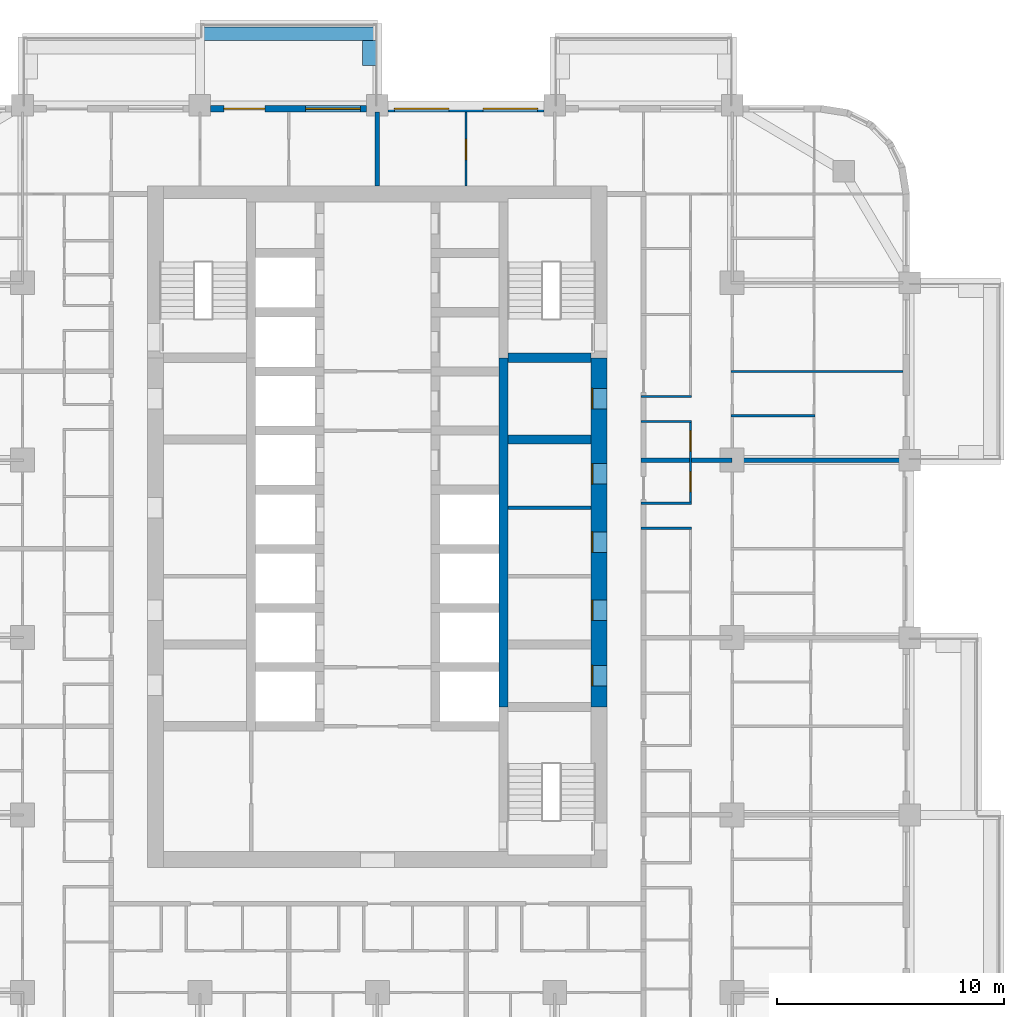
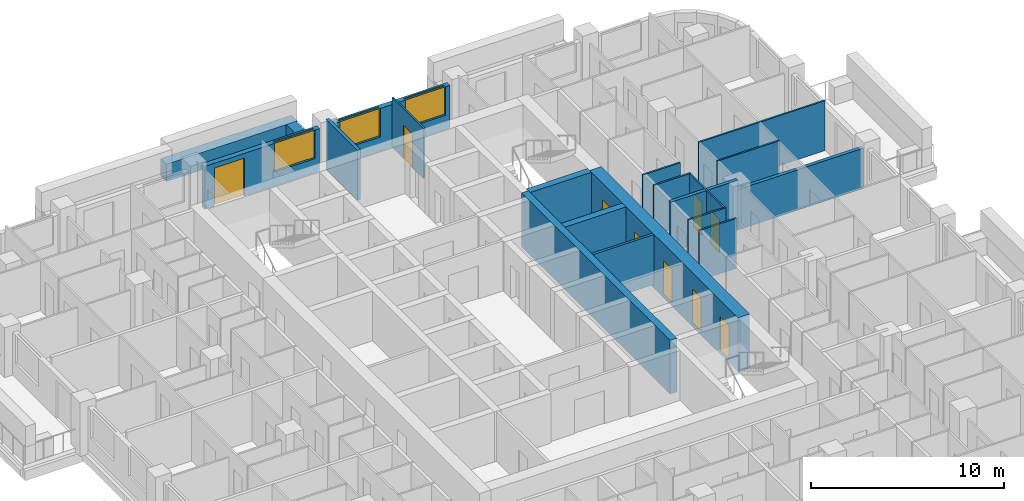
# One storey, part 12 of 18: 20 walls, 9 doors, 3 windows, 12 openings.
"""IFC4 building model written with IfcOpenShell, lengths in metres."""

from ifc_helpers import new_model, si_unit, direction, frame, frame_2d, origin, place, context, subcontext, project, spatial, rectangle, extrude, material, layer, layer_set, type_object, element, fill, save


model = new_model("IFC4")

# Units and contexts
model_context = context("Model", 3, precision=1e-05, world=origin(), true_north=direction((0.0, 1.0)))
body_context = subcontext(model_context, "Body", "Model", "MODEL_VIEW")
ifc_project = project(units=[si_unit("LENGTHUNIT", "METRE"), si_unit("AREAUNIT", "SQUARE_METRE"), si_unit("VOLUMEUNIT", "CUBIC_METRE"), si_unit("PLANEANGLEUNIT", "RADIAN"), si_unit("MASSUNIT", "GRAM", prefix="KILO")], contexts=[model_context])

# Site, building, storey
site_placement = place(None, origin())
site = spatial("IfcSite", under=ifc_project, at=site_placement, CompositionType="ELEMENT")
building_placement = place(site_placement, origin())
building = spatial("IfcBuilding", under=site, at=building_placement, Name="Ludao Terraces", CompositionType="ELEMENT")
storey_placement = place(building_placement, frame((0.0, 0.0, 64.800048828125)))
storey = spatial("IfcBuildingStorey", under=building, at=storey_placement, Name="L17", CompositionType="ELEMENT", Elevation=64.800048828125)

# Wall, openings, doors
ifc_material_1 = material(Name="Concrete C70", Category="concrete")
ifc_layer_1 = layer(ifc_material_1, 0.699951171875)
ifc_layer_set_1 = layer_set([ifc_layer_1], Name="Core wall 700 C70")
wall_type_1 = type_object("IfcWallType", Name="Core wall 700 C70", PredefinedType="SOLIDWALL", material=ifc_layer_set_1)
wall_1_placement = place(storey_placement, frame((94.75, 61.949951171875, -0.25), z_axis=(0.0, 0.0, 1.0), x_axis=(0.0, 1.0, 0.0)))
wall_1 = element("IfcWall", 1, at=wall_1_placement, inside=storey, type_object=wall_type_1, Name="Core wall L17 outer-E", PredefinedType="SOLIDWALL", context=body_context, shape_type="SweptSolid", body=[
    extrude(rectangle(XDim=15.35009765625, YDim=0.699951171875, at=frame_2d((7.675048828125, 0.0))), origin(), (0.0, 0.0, 1.0), 3.39990234375),
])
opening_1_placement = place(wall_1_placement, frame((0.925048828125, 0.0, 0.25)))
opening_1 = element("IfcOpeningElement", 2, at=opening_1_placement, cuts=wall_1, Name="Opening R05-080", PredefinedType="OPENING", context=body_context, shape_type="SweptSolid", body=[
    extrude(rectangle(XDim=0.89990234375, YDim=2.10009765625, at=frame_2d((0.449951171875, 1.050048828125))), frame((0.0, 0.35986328125, 0.0), z_axis=(0.0, -1.0, 0.0), x_axis=(1.0, 0.0, 0.0)), (0.0, 0.0, 1.0), 0.719970703125),
])
opening_2_placement = place(wall_1_placement, frame((3.800048828125, 0.0, 0.25)))
opening_2 = element("IfcOpeningElement", 3, at=opening_2_placement, cuts=wall_1, Name="Opening R05-093", PredefinedType="OPENING", context=body_context, shape_type="SweptSolid", body=[
    extrude(rectangle(XDim=0.89990234375, YDim=2.10009765625, at=frame_2d((0.449951171875, 1.050048828125))), frame((0.0, 0.35986328125, 0.0), z_axis=(0.0, -1.0, 0.0), x_axis=(1.0, 0.0, 0.0)), (0.0, 0.0, 1.0), 0.719970703125),
])
opening_3_placement = place(wall_1_placement, frame((6.800048828125, 0.0, 0.25)))
opening_3 = element("IfcOpeningElement", 4, at=opening_3_placement, cuts=wall_1, Name="Opening R05-101", PredefinedType="OPENING", context=body_context, shape_type="SweptSolid", body=[
    extrude(rectangle(XDim=0.89990234375, YDim=2.10009765625, at=frame_2d((0.449951171875, 1.050048828125))), frame((0.0, 0.35986328125, 0.0), z_axis=(0.0, -1.0, 0.0), x_axis=(1.0, 0.0, 0.0)), (0.0, 0.0, 1.0), 0.719970703125),
])
opening_4_placement = place(wall_1_placement, frame((9.800048828125, 0.0, 0.25)))
opening_4 = element("IfcOpeningElement", 5, at=opening_4_placement, cuts=wall_1, Name="Opening R05-112", PredefinedType="OPENING", context=body_context, shape_type="SweptSolid", body=[
    extrude(rectangle(XDim=0.89990234375, YDim=2.10009765625, at=frame_2d((0.449951171875, 1.050048828125))), frame((0.0, 0.35986328125, 0.0), z_axis=(0.0, -1.0, 0.0), x_axis=(1.0, 0.0, 0.0)), (0.0, 0.0, 1.0), 0.719970703125),
])
opening_5_placement = place(wall_1_placement, frame((13.10009765625, 0.0, 0.25)))
opening_5 = element("IfcOpeningElement", 6, at=opening_5_placement, cuts=wall_1, Name="Opening R05-124", PredefinedType="OPENING", context=body_context, shape_type="SweptSolid", body=[
    extrude(rectangle(XDim=0.89990234375, YDim=2.10009765625, at=frame_2d((0.449951171875, 1.050048828125))), frame((0.0, 0.35986328125, 0.0), z_axis=(0.0, -1.0, 0.0), x_axis=(1.0, 0.0, 0.0)), (0.0, 0.0, 1.0), 0.719970703125),
])
ifc_material_2 = material(Name="Steel Q235", Category="steel")
door_type_1 = type_object("IfcDoorType", Name="INT Riser door 900", OperationType="SINGLE_SWING_LEFT", PredefinedType="DOOR", material=ifc_material_2)
door_1_placement = place(opening_1_placement, origin())
door_1 = element("IfcDoor", 7, at=door_1_placement, inside=storey, type_object=door_type_1, Name="DOOR 080", OperationType="SINGLE_SWING_RIGHT", OverallHeight=2.10009765625, OverallWidth=0.89990234375, PredefinedType="DOOR", context=body_context, shape_type="SweptSolid", body=[
    extrude(rectangle(XDim=0.89990234375, YDim=2.10009765625, at=frame_2d((0.449951171875, 1.050048828125))), frame((0.0, 0.3349609375, 0.0), z_axis=(0.0, -1.0, 0.0), x_axis=(1.0, 0.0, 0.0)), (0.0, 0.0, 1.0), 0.050048828125),
])
fill(opening_1, door_1)
door_2_placement = place(opening_5_placement, origin())
door_2 = element("IfcDoor", 8, at=door_2_placement, inside=storey, type_object=door_type_1, Name="DOOR 124", OperationType="SINGLE_SWING_LEFT", OverallHeight=2.10009765625, OverallWidth=0.89990234375, PredefinedType="DOOR", context=body_context, shape_type="SweptSolid", body=[
    extrude(rectangle(XDim=0.89990234375, YDim=2.10009765625, at=frame_2d((0.449951171875, 1.050048828125))), frame((0.0, 0.3349609375, 0.0), z_axis=(0.0, -1.0, 0.0), x_axis=(1.0, 0.0, 0.0)), (0.0, 0.0, 1.0), 0.050048828125),
])
fill(opening_5, door_2)
ifc_material_3 = material(Name="Timber door leaf", Category="wood")
door_type_2 = type_object("IfcDoorType", Name="INT Room door 900", OperationType="SINGLE_SWING_LEFT", PredefinedType="DOOR", material=ifc_material_3)
door_3_placement = place(opening_2_placement, origin())
door_3 = element("IfcDoor", 9, at=door_3_placement, inside=storey, type_object=door_type_2, Name="DOOR 093", OperationType="SINGLE_SWING_LEFT", OverallHeight=2.10009765625, OverallWidth=0.89990234375, PredefinedType="DOOR", context=body_context, shape_type="SweptSolid", body=[
    extrude(rectangle(XDim=0.89990234375, YDim=2.10009765625, at=frame_2d((0.449951171875, 1.050048828125))), frame((0.0, 0.3349609375, 0.0), z_axis=(0.0, -1.0, 0.0), x_axis=(1.0, 0.0, 0.0)), (0.0, 0.0, 1.0), 0.050048828125),
])
fill(opening_2, door_3)
door_4_placement = place(opening_3_placement, origin())
door_4 = element("IfcDoor", 10, at=door_4_placement, inside=storey, type_object=door_type_2, Name="DOOR 101", OperationType="SINGLE_SWING_RIGHT", OverallHeight=2.10009765625, OverallWidth=0.89990234375, PredefinedType="DOOR", context=body_context, shape_type="SweptSolid", body=[
    extrude(rectangle(XDim=0.89990234375, YDim=2.10009765625, at=frame_2d((0.449951171875, 1.050048828125))), frame((0.0, 0.3349609375, 0.0), z_axis=(0.0, -1.0, 0.0), x_axis=(1.0, 0.0, 0.0)), (0.0, 0.0, 1.0), 0.050048828125),
])
fill(opening_3, door_4)
door_5_placement = place(opening_4_placement, origin())
door_5 = element("IfcDoor", 11, at=door_5_placement, inside=storey, type_object=door_type_2, Name="DOOR 112", OperationType="SINGLE_SWING_RIGHT", OverallHeight=2.10009765625, OverallWidth=0.89990234375, PredefinedType="DOOR", context=body_context, shape_type="SweptSolid", body=[
    extrude(rectangle(XDim=0.89990234375, YDim=2.10009765625, at=frame_2d((0.449951171875, 1.050048828125))), frame((0.0, 0.3349609375, 0.0), z_axis=(0.0, -1.0, 0.0), x_axis=(1.0, 0.0, 0.0)), (0.0, 0.0, 1.0), 0.050048828125),
])
fill(opening_4, door_5)

# Walls
ifc_material_4 = material(Name="Concrete C40", Category="concrete")
ifc_layer_2 = layer(ifc_material_4, 0.60009765625)
ifc_layer_set_2 = layer_set([ifc_layer_2], Name="ENV Planter trough 600")
wall_type_2 = type_object("IfcWallType", Name="ENV Planter trough 600", PredefinedType="USERDEFINED", material=ifc_layer_set_2)
wall_2_placement = place(storey_placement, frame((77.199951171875, 91.550048828125, 0.0), z_axis=(0.0, 0.0, 1.0), x_axis=(1.0, 0.0, 0.0)))
element("IfcWall", 12, at=wall_2_placement, inside=storey, type_object=wall_type_2, Name="PL-L17-N2", ObjectType="PLANTER", PredefinedType="USERDEFINED", context=body_context, shape_type="SweptSolid", body=[
    extrude(rectangle(XDim=7.800048828125, YDim=0.60009765625, at=frame_2d((3.89990234375, 0.0))), origin(), (0.0, 0.0, 1.0), 1.099853515625),
])
wall_3_placement = place(storey_placement, frame((84.64990234375, 91.25, 0.0), z_axis=(0.0, 0.0, 1.0), x_axis=(0.0, -1.0, 0.0)))
element("IfcWall", 13, at=wall_3_placement, inside=storey, type_object=wall_type_2, Name="PL-L17-N2-SB", ObjectType="PLANTER", PredefinedType="USERDEFINED", context=body_context, shape_type="SweptSolid", body=[
    extrude(rectangle(XDim=1.10009765625, YDim=0.60009765625, at=frame_2d((0.550048828125, 0.0))), origin(), (0.0, 0.0, 1.0), 1.099853515625),
])

# Wall, openings, door, window
ifc_material_5 = material(Name="Granite cladding", Category="masonry")
ifc_layer_3 = layer(ifc_material_5, 0.0400390625, Category="stone")
ifc_material_6 = material(Name="Mineral wool")
ifc_layer_4 = layer(ifc_material_6, 0.06005859375)
ifc_layer_5 = layer(ifc_material_4, 0.199951171875, Category="concrete")
ifc_layer_set_3 = layer_set([ifc_layer_3, ifc_layer_4, ifc_layer_5], Name="ENV Stone-clad wall 300")
wall_type_3 = type_object("IfcWallType", Name="ENV Stone-clad wall 300", PredefinedType="SOLIDWALL", material=ifc_layer_set_3)
wall_4_placement = place(storey_placement, frame((77.675048828125, 88.25, 0.0), z_axis=(0.0, 0.0, 1.0), x_axis=(1.0, 0.0, 0.0)))
wall_4 = element("IfcWall", 14, at=wall_4_placement, inside=storey, type_object=wall_type_3, Name="EW-L17-N3", PredefinedType="SOLIDWALL", context=body_context, shape_type="SweptSolid", body=[
    extrude(rectangle(XDim=6.849853515625, YDim=0.300048828125, at=frame_2d((3.4248046875, 0.0))), origin(), (0.0, 0.0, 1.0), 2.699951171875),
])
opening_6_placement = place(wall_4_placement, frame((0.574951171875, 0.0, 0.0)))
opening_6 = element("IfcOpeningElement", 15, at=opening_6_placement, cuts=wall_4, Name="Opening BD", PredefinedType="OPENING", context=body_context, shape_type="SweptSolid", body=[
    extrude(rectangle(XDim=1.800048828125, YDim=2.39990234375, at=frame_2d((0.89990234375, 1.199951171875))), frame((0.0, 0.16015625, 0.0), z_axis=(0.0, -1.0, 0.0), x_axis=(1.0, 0.0, 0.0)), (0.0, 0.0, 1.0), 0.320068359375),
])
opening_7_placement = place(wall_4_placement, frame((4.175048828125, 0.0, 0.89990234375)))
opening_7 = element("IfcOpeningElement", 16, at=opening_7_placement, cuts=wall_4, Name="Opening W1", PredefinedType="OPENING", context=body_context, shape_type="SweptSolid", body=[
    extrude(rectangle(XDim=2.39990234375, YDim=1.800048828125, at=frame_2d((1.199951171875, 0.89990234375))), frame((0.0, 0.16015625, 0.0), z_axis=(0.0, -1.0, 0.0), x_axis=(1.0, 0.0, 0.0)), (0.0, 0.0, 1.0), 0.320068359375),
])
ifc_material_7 = material(Name="Aluminium glazed door", Category="aluminium")
ifc_layer_6 = layer(ifc_material_7, 0.06005859375)
ifc_layer_set_4 = layer_set([ifc_layer_6], Name="ENV Balcony door BD 1800x2400")
door_type_3 = type_object("IfcDoorType", Name="ENV Balcony door BD 1800x2400", OperationType="DOUBLE_DOOR_SINGLE_SWING", PredefinedType="DOOR", material=ifc_layer_set_4)
door_6_placement = place(opening_6_placement, origin())
door_6 = element("IfcDoor", 17, at=door_6_placement, inside=storey, type_object=door_type_3, Name="BD-L17-N3-1", OperationType="DOUBLE_DOOR_SINGLE_SWING", OverallHeight=2.39990234375, OverallWidth=1.800048828125, PredefinedType="DOOR", context=body_context, shape_type="SweptSolid", body=[
    extrude(rectangle(XDim=1.800048828125, YDim=2.39990234375, at=frame_2d((0.89990234375, 1.199951171875))), frame((0.0, 0.02490234375, 0.0), z_axis=(0.0, -1.0, 0.0), x_axis=(1.0, 0.0, 0.0)), (0.0, 0.0, 1.0), 0.050048828125),
])
fill(opening_6, door_6)
ifc_material_8 = material(Name="Clear glass in aluminium frame", Category="aluminium")
ifc_layer_7 = layer(ifc_material_8, 0.06005859375)
ifc_layer_set_5 = layer_set([ifc_layer_7], Name="ENV Window W1 2400x1800")
window_type = type_object("IfcWindowType", Name="ENV Window W1 2400x1800", PartitioningType="DOUBLE_PANEL_VERTICAL", PredefinedType="WINDOW", material=ifc_layer_set_5)
window_1_placement = place(opening_7_placement, origin())
window_1 = element("IfcWindow", 18, at=window_1_placement, inside=storey, type_object=window_type, Name="W-L17-N3-2", OverallHeight=1.800048828125, OverallWidth=2.39990234375, PartitioningType="DOUBLE_PANEL_VERTICAL", PredefinedType="WINDOW", context=body_context, shape_type="SweptSolid", body=[
    extrude(rectangle(XDim=2.39990234375, YDim=1.800048828125, at=frame_2d((1.199951171875, 0.89990234375))), frame((0.0, 0.030029296875, 0.0), z_axis=(0.0, -1.0, 0.0), x_axis=(1.0, 0.0, 0.0)), (0.0, 0.0, 1.0), 0.06005859375),
])
fill(opening_7, window_1)

# Wall, openings, windows
wall_5_placement = place(storey_placement, frame((85.47509765625, 88.25, 0.0), z_axis=(0.0, 0.0, 1.0), x_axis=(1.0, 0.0, 0.0)))
wall_5 = element("IfcWall", 19, at=wall_5_placement, inside=storey, type_object=wall_type_3, Name="EW-L17-N4", PredefinedType="SOLIDWALL", context=body_context, shape_type="SweptSolid", body=[
    extrude(rectangle(XDim=6.849853515625, YDim=0.300048828125, at=frame_2d((3.4248046875, 0.0))), origin(), (0.0, 0.0, 1.0), 2.699951171875),
])
opening_8_placement = place(wall_5_placement, frame((0.27490234375, 0.0, 0.89990234375)))
opening_8 = element("IfcOpeningElement", 20, at=opening_8_placement, cuts=wall_5, Name="Opening W1", PredefinedType="OPENING", context=body_context, shape_type="SweptSolid", body=[
    extrude(rectangle(XDim=2.39990234375, YDim=1.800048828125, at=frame_2d((1.199951171875, 0.89990234375))), frame((0.0, 0.16015625, 0.0), z_axis=(0.0, -1.0, 0.0), x_axis=(1.0, 0.0, 0.0)), (0.0, 0.0, 1.0), 0.320068359375),
])
opening_9_placement = place(wall_5_placement, frame((4.175048828125, 0.0, 0.89990234375)))
opening_9 = element("IfcOpeningElement", 21, at=opening_9_placement, cuts=wall_5, Name="Opening W1", PredefinedType="OPENING", context=body_context, shape_type="SweptSolid", body=[
    extrude(rectangle(XDim=2.39990234375, YDim=1.800048828125, at=frame_2d((1.199951171875, 0.89990234375))), frame((0.0, 0.16015625, 0.0), z_axis=(0.0, -1.0, 0.0), x_axis=(1.0, 0.0, 0.0)), (0.0, 0.0, 1.0), 0.320068359375),
])
window_2_placement = place(opening_8_placement, origin())
window_2 = element("IfcWindow", 22, at=window_2_placement, inside=storey, type_object=window_type, Name="W-L17-N4-1", OverallHeight=1.800048828125, OverallWidth=2.39990234375, PartitioningType="DOUBLE_PANEL_VERTICAL", PredefinedType="WINDOW", context=body_context, shape_type="SweptSolid", body=[
    extrude(rectangle(XDim=2.39990234375, YDim=1.800048828125, at=frame_2d((1.199951171875, 0.89990234375))), frame((0.0, 0.030029296875, 0.0), z_axis=(0.0, -1.0, 0.0), x_axis=(1.0, 0.0, 0.0)), (0.0, 0.0, 1.0), 0.06005859375),
])
fill(opening_8, window_2)
window_3_placement = place(opening_9_placement, origin())
window_3 = element("IfcWindow", 23, at=window_3_placement, inside=storey, type_object=window_type, Name="W-L17-N4-2", OverallHeight=1.800048828125, OverallWidth=2.39990234375, PartitioningType="DOUBLE_PANEL_VERTICAL", PredefinedType="WINDOW", context=body_context, shape_type="SweptSolid", body=[
    extrude(rectangle(XDim=2.39990234375, YDim=1.800048828125, at=frame_2d((1.199951171875, 0.89990234375))), frame((0.0, 0.030029296875, 0.0), z_axis=(0.0, -1.0, 0.0), x_axis=(1.0, 0.0, 0.0)), (0.0, 0.0, 1.0), 0.06005859375),
])
fill(opening_9, window_3)

# Walls
ifc_material_9 = material(Name="Fire-rated gypsum plasterboard", Category="gypsum")
ifc_layer_8 = layer(ifc_material_9, 0.012451171875, Category="gypsum")
ifc_layer_9 = layer(ifc_material_6, 0.10009765625, Name="insulation")
ifc_layer_10 = layer(ifc_material_2, 0.02490234375, Name="stud")
ifc_layer_11 = layer(ifc_material_9, 0.012451171875, Category="gypsum")
ifc_layer_set_6 = layer_set([ifc_layer_8, ifc_layer_9, ifc_layer_10, ifc_layer_11], Name="INT Core partition 150")
wall_type_4 = type_object("IfcWallType", Name="INT Core partition 150", PredefinedType="PARTITIONING", material=ifc_layer_set_6)
wall_6_placement = place(storey_placement, frame((90.75, 70.699951171875, 0.0), z_axis=(0.0, 0.0, 1.0), x_axis=(1.0, 0.0, 0.0)))
element("IfcWall", 24, at=wall_6_placement, inside=storey, type_object=wall_type_4, Name="PW-L17-PW052", PredefinedType="PARTITIONING", context=body_context, shape_type="SweptSolid", body=[
    extrude(rectangle(XDim=3.650146484375, YDim=0.14990234375, at=frame_2d((1.8251953125, 0.0))), origin(), (0.0, 0.0, 1.0), 3.14990234375),
])
ifc_material_10 = material(Name="Gypsum plasterboard", Category="gypsum")
ifc_layer_12 = layer(ifc_material_10, 0.012451171875, Category="gypsum")
ifc_layer_13 = layer(ifc_material_6, 0.06005859375, Name="insulation")
ifc_layer_14 = layer(ifc_material_2, 0.014892578125, Name="stud")
ifc_layer_15 = layer(ifc_material_10, 0.012451171875, Category="gypsum")
ifc_layer_set_7 = layer_set([ifc_layer_12, ifc_layer_13, ifc_layer_14, ifc_layer_15], Name="INT Partition 100")
wall_type_5 = type_object("IfcWallType", Name="INT Partition 100", PredefinedType="PARTITIONING", material=ifc_layer_set_7)
for number, where, z_axis, x_axis, name in (
    (25, (96.60009765625, 69.800048828125, 0.0), (0.0, 0.0, 1.0), (1.0, 0.0, 0.0), "PW-L17-PW051"),
    (26, (96.60009765625, 70.89990234375, 0.0), (0.0, 0.0, 1.0), (1.0, 0.0, 0.0), "PW-L17-PW054"),
    (27, (96.60009765625, 74.5, 0.0), (0.0, 0.0, 1.0), (1.0, 0.0, 0.0), "PW-L17-PW060"),
):
    element("IfcWall", number, at=place(storey_placement, frame(where, z_axis=z_axis, x_axis=x_axis)), inside=storey, type_object=wall_type_5, Name=name, PredefinedType="PARTITIONING", context=body_context, shape_type="SweptSolid", body=[
        extrude(rectangle(XDim=2.219970703125, YDim=0.10009765625, at=frame_2d((1.10986328125, 0.0))), origin(), (0.0, 0.0, 1.0), 3.14990234375),
    ])
wall_7_placement = place(storey_placement, frame((100.550048828125, 74.75, 0.0), z_axis=(0.0, 0.0, 1.0), x_axis=(1.0, 0.0, 0.0)))
element("IfcWall", 28, at=wall_7_placement, inside=storey, type_object=wall_type_5, Name="PW-L17-PW061", PredefinedType="PARTITIONING", context=body_context, shape_type="SweptSolid", body=[
    extrude(rectangle(XDim=3.699951171875, YDim=0.10009765625, at=frame_2d((1.85009765625, 0.0))), origin(), (0.0, 0.0, 1.0), 3.14990234375),
])
wall_8_placement = place(storey_placement, frame((96.60009765625, 75.60009765625, 0.0), z_axis=(0.0, 0.0, 1.0), x_axis=(1.0, 0.0, 0.0)))
element("IfcWall", 29, at=wall_8_placement, inside=storey, type_object=wall_type_5, Name="PW-L17-PW063", PredefinedType="PARTITIONING", context=body_context, shape_type="SweptSolid", body=[
    extrude(rectangle(XDim=2.219970703125, YDim=0.10009765625, at=frame_2d((1.10986328125, 0.0))), origin(), (0.0, 0.0, 1.0), 3.14990234375),
])
wall_9_placement = place(storey_placement, frame((100.550048828125, 76.699951171875, 0.0), z_axis=(0.0, 0.0, 1.0), x_axis=(1.0, 0.0, 0.0)))
element("IfcWall", 30, at=wall_9_placement, inside=storey, type_object=wall_type_5, Name="PW-L17-PW066", PredefinedType="PARTITIONING", context=body_context, shape_type="SweptSolid", body=[
    extrude(rectangle(XDim=7.550048828125, YDim=0.10009765625, at=frame_2d((3.77490234375, 0.0))), origin(), (0.0, 0.0, 1.0), 3.14990234375),
])

# Wall, opening, door
wall_10_placement = place(storey_placement, frame((88.89990234375, 84.85009765625, 0.0), z_axis=(0.0, 0.0, 1.0), x_axis=(0.0, 1.0, 0.0)))
wall_10 = element("IfcWall", 31, at=wall_10_placement, inside=storey, type_object=wall_type_5, Name="PW-L17-PW110", PredefinedType="PARTITIONING", context=body_context, shape_type="SweptSolid", body=[
    extrude(rectangle(XDim=3.25, YDim=0.10009765625, at=frame_2d((1.625, 0.0))), origin(), (0.0, 0.0, 1.0), 3.14990234375),
])
opening_10_placement = place(wall_10_placement, frame((1.14990234375, 0.0, 0.0)))
opening_10 = element("IfcOpeningElement", 32, at=opening_10_placement, cuts=wall_10, Name="Opening R05-164", PredefinedType="OPENING", context=body_context, shape_type="SweptSolid", body=[
    extrude(rectangle(XDim=0.89990234375, YDim=2.10009765625, at=frame_2d((0.449951171875, 1.050048828125))), frame((0.0, 0.06005859375, 0.0), z_axis=(0.0, -1.0, 0.0), x_axis=(1.0, 0.0, 0.0)), (0.0, 0.0, 1.0), 0.1201171875),
])
door_7_placement = place(opening_10_placement, origin())
door_7 = element("IfcDoor", 33, at=door_7_placement, inside=storey, type_object=door_type_2, Name="DOOR 164", OperationType="SINGLE_SWING_LEFT", OverallHeight=2.10009765625, OverallWidth=0.89990234375, PredefinedType="DOOR", context=body_context, shape_type="SweptSolid", body=[
    extrude(rectangle(XDim=0.89990234375, YDim=2.10009765625, at=frame_2d((0.449951171875, 1.050048828125))), frame((0.0, 0.02490234375, 0.0), z_axis=(0.0, -1.0, 0.0), x_axis=(1.0, 0.0, 0.0)), (0.0, 0.0, 1.0), 0.050048828125),
])
fill(opening_10, door_7)

# Wall, openings, doors
wall_11_placement = place(storey_placement, frame((98.77001953125, 70.9501953125, 0.0), z_axis=(0.0, 0.0, 1.0), x_axis=(0.0, 1.0, 0.0)))
wall_11 = element("IfcWall", 34, at=wall_11_placement, inside=storey, type_object=wall_type_5, Name="PW-L17-PW123", PredefinedType="PARTITIONING", context=body_context, shape_type="SweptSolid", body=[
    extrude(rectangle(XDim=3.5, YDim=0.10009765625, at=frame_2d((1.75, 0.0))), origin(), (0.0, 0.0, 1.0), 3.14990234375),
])
opening_11_placement = place(wall_11_placement, frame((0.449951171875, 0.0, 0.0)))
opening_11 = element("IfcOpeningElement", 35, at=opening_11_placement, cuts=wall_11, Name="Opening R05-111", PredefinedType="OPENING", context=body_context, shape_type="SweptSolid", body=[
    extrude(rectangle(XDim=0.89990234375, YDim=2.10009765625, at=frame_2d((0.449951171875, 1.050048828125))), frame((0.0, 0.06005859375, 0.0), z_axis=(0.0, -1.0, 0.0), x_axis=(1.0, 0.0, 0.0)), (0.0, 0.0, 1.0), 0.1201171875),
])
opening_12_placement = place(wall_11_placement, frame((2.25, 0.0, 0.0)))
opening_12 = element("IfcOpeningElement", 36, at=opening_12_placement, cuts=wall_11, Name="Opening R05-116", PredefinedType="OPENING", context=body_context, shape_type="SweptSolid", body=[
    extrude(rectangle(XDim=0.89990234375, YDim=2.10009765625, at=frame_2d((0.449951171875, 1.050048828125))), frame((0.0, 0.06005859375, 0.0), z_axis=(0.0, -1.0, 0.0), x_axis=(1.0, 0.0, 0.0)), (0.0, 0.0, 1.0), 0.1201171875),
])
door_type_4 = type_object("IfcDoorType", Name="INT Bathroom door 900", OperationType="SINGLE_SWING_LEFT", PredefinedType="DOOR", material=ifc_material_3)
door_8_placement = place(opening_11_placement, origin())
door_8 = element("IfcDoor", 37, at=door_8_placement, inside=storey, type_object=door_type_4, Name="DOOR 111", OperationType="SINGLE_SWING_RIGHT", OverallHeight=2.10009765625, OverallWidth=0.89990234375, PredefinedType="DOOR", context=body_context, shape_type="SweptSolid", body=[
    extrude(rectangle(XDim=0.89990234375, YDim=2.10009765625, at=frame_2d((0.449951171875, 1.050048828125))), frame((0.0, 0.02490234375, 0.0), z_axis=(0.0, -1.0, 0.0), x_axis=(1.0, 0.0, 0.0)), (0.0, 0.0, 1.0), 0.050048828125),
])
fill(opening_11, door_8)
door_9_placement = place(opening_12_placement, origin())
door_9 = element("IfcDoor", 38, at=door_9_placement, inside=storey, type_object=door_type_4, Name="DOOR 116", OperationType="SINGLE_SWING_LEFT", OverallHeight=2.10009765625, OverallWidth=0.89990234375, PredefinedType="DOOR", context=body_context, shape_type="SweptSolid", body=[
    extrude(rectangle(XDim=0.89990234375, YDim=2.10009765625, at=frame_2d((0.449951171875, 1.050048828125))), frame((0.0, 0.02490234375, 0.0), z_axis=(0.0, -1.0, 0.0), x_axis=(1.0, 0.0, 0.0)), (0.0, 0.0, 1.0), 0.050048828125),
])
fill(opening_12, door_9)

# Walls
ifc_material_11 = material(Name="Autoclaved aerated concrete block B06 A3.5", Category="concrete")
ifc_layer_16 = layer(ifc_material_11, 0.199951171875)
ifc_layer_set_8 = layer_set([ifc_layer_16], Name="INT Party wall 200")
wall_type_6 = type_object("IfcWallType", Name="INT Party wall 200", PredefinedType="PARTITIONING", material=ifc_layer_set_8)
wall_12_placement = place(storey_placement, frame((96.60009765625, 72.800048828125, 0.0), z_axis=(0.0, 0.0, 1.0), x_axis=(1.0, 0.0, 0.0)))
element("IfcWall", 39, at=wall_12_placement, inside=storey, type_object=wall_type_6, Name="PW-L17-PW057", PredefinedType="PARTITIONING", context=body_context, shape_type="SweptSolid", body=[
    extrude(rectangle(XDim=4.0, YDim=0.199951171875, at=frame_2d((2.0, 0.0))), origin(), (0.0, 0.0, 1.0), 3.14990234375),
])
wall_13_placement = place(storey_placement, frame((100.60009765625, 72.800048828125, 0.0), z_axis=(0.0, 0.0, 1.0), x_axis=(1.0, 0.0, 0.0)))
element("IfcWall", 40, at=wall_13_placement, inside=storey, type_object=wall_type_6, Name="PW-L17-PW057-2", PredefinedType="PARTITIONING", context=body_context, shape_type="SweptSolid", body=[
    extrude(rectangle(XDim=7.5, YDim=0.199951171875, at=frame_2d((3.75, 0.0))), origin(), (0.0, 0.0, 1.0), 2.5498046875),
])
wall_14_placement = place(storey_placement, frame((85.0, 84.85009765625, 0.0), z_axis=(0.0, 0.0, 1.0), x_axis=(0.0, 1.0, 0.0)))
element("IfcWall", 41, at=wall_14_placement, inside=storey, type_object=wall_type_6, Name="PW-L17-PW107", PredefinedType="PARTITIONING", context=body_context, shape_type="SweptSolid", body=[
    extrude(rectangle(XDim=3.25, YDim=0.199951171875, at=frame_2d((1.625, 0.0))), origin(), (0.0, 0.0, 1.0), 3.14990234375),
])
ifc_material_12 = material(Name="Concrete C60", Category="concrete")
ifc_layer_17 = layer(ifc_material_12, 0.39990234375)
ifc_layer_set_9 = layer_set([ifc_layer_17], Name="Shaft wall 400 C60")
wall_type_7 = type_object("IfcWallType", Name="Shaft wall 400 C60", PredefinedType="SOLIDWALL", material=ifc_layer_set_9)
wall_15_placement = place(storey_placement, frame((90.550048828125, 61.949951171875, -0.25), z_axis=(0.0, 0.0, 1.0), x_axis=(0.0, 1.0, 0.0)))
element("IfcWall", 42, at=wall_15_placement, inside=storey, type_object=wall_type_7, Name="Core wall L17 back-E", PredefinedType="SOLIDWALL", context=body_context, shape_type="SweptSolid", body=[
    extrude(rectangle(XDim=15.35009765625, YDim=0.39990234375, at=frame_2d((7.675048828125, 0.0))), origin(), (0.0, 0.0, 1.0), 3.39990234375),
])
for number, where, z_axis, x_axis, name in (
    (43, (90.75, 73.699951171875, -0.25), (0.0, 0.0, 1.0), (1.0, 0.0, 0.0), "Core wall L17 riser-b-E"),
    (44, (90.75, 77.300048828125, -0.25), (0.0, 0.0, 1.0), (1.0, 0.0, 0.0), "Core wall L17 stair-E"),
):
    element("IfcWall", number, at=place(storey_placement, frame(where, z_axis=z_axis, x_axis=x_axis)), inside=storey, type_object=wall_type_7, Name=name, PredefinedType="SOLIDWALL", context=body_context, shape_type="SweptSolid", body=[
        extrude(rectangle(XDim=3.64990234375, YDim=0.39990234375, at=frame_2d((1.824951171875, 0.0))), origin(), (0.0, 0.0, 1.0), 3.39990234375),
    ])

save(model, "model.ifc")
